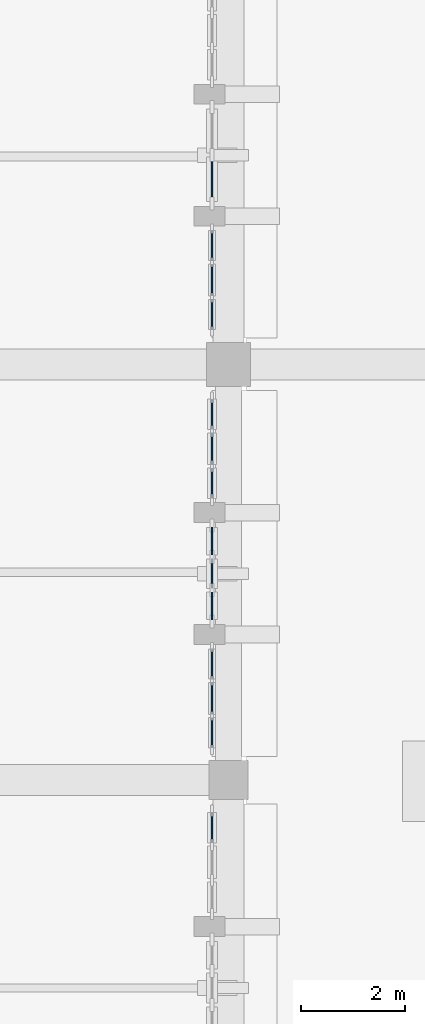
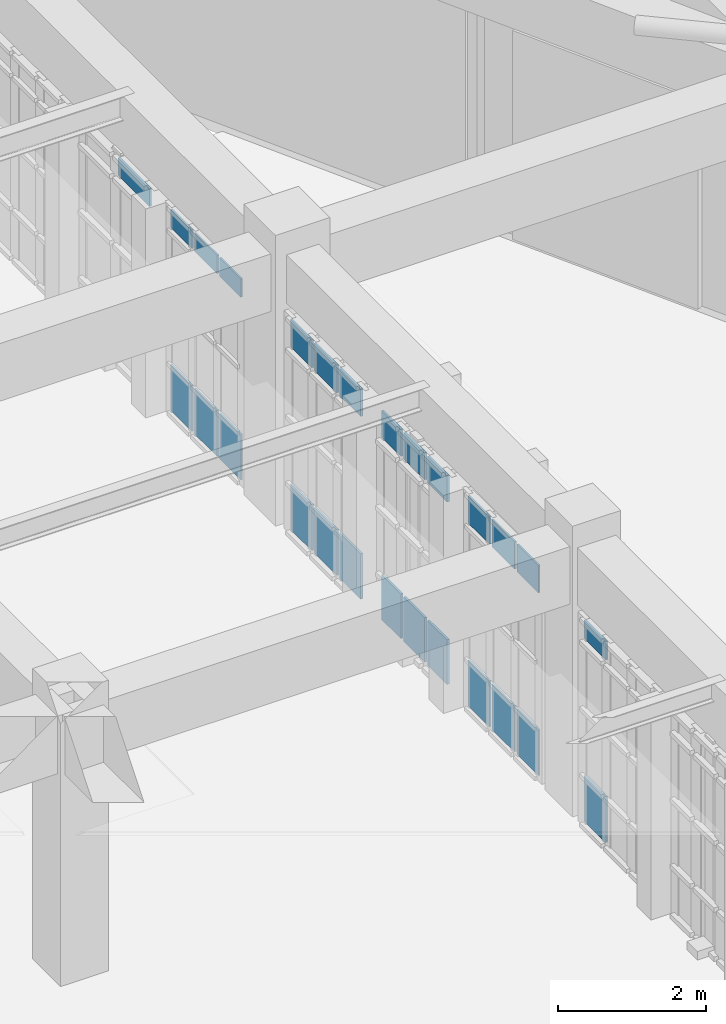
# One storey, part 120 of 155: 27 plates, 6 elements without a shape of their own.
"""IFC4 building model written with IfcOpenShell, lengths in metres."""

from ifc_helpers import new_model, si_unit, direction, frame, origin, origin_2d, place, context, subcontext, project, spatial, rectangle, extrude, material, layer, layer_set, type_object, element, aggregate, save


model = new_model("IFC4")

# Units and contexts
model_context = context("Model", 3, precision=1e-05, world=origin(), true_north=direction((0.0, 1.0)))
body_context = subcontext(model_context, "Body", "Model", "MODEL_VIEW")
ifc_project = project(units=[si_unit("LENGTHUNIT", "METRE"), si_unit("AREAUNIT", "SQUARE_METRE"), si_unit("VOLUMEUNIT", "CUBIC_METRE"), si_unit("PLANEANGLEUNIT", "RADIAN"), si_unit("MASSUNIT", "GRAM", prefix="KILO")], contexts=[model_context])

# Site, building, storey
site_placement = place(None, origin())
site = spatial("IfcSite", under=ifc_project, at=site_placement, CompositionType="ELEMENT")
building_placement = place(site_placement, origin())
building = spatial("IfcBuilding", under=site, at=building_placement, Name="Tazarka Park Arena", CompositionType="ELEMENT")
storey_placement = place(building_placement, frame((0.0, 0.0, 5.39990234375)))
storey = spatial("IfcBuildingStorey", under=building, at=storey_placement, Name="L01", CompositionType="ELEMENT", Elevation=5.39990234375)

# Curtain wall, plates
ifc_material_1 = material(Name="Aluminium and low-e glass", Category="aluminium")
ifc_layer_1 = layer(ifc_material_1, 0.179931640625, Name="Aluminium and low-e glass")
ifc_layer_set_1 = layer_set([ifc_layer_1], Name="Aluminium and low-e glass")
curtain_wall_type_1 = type_object("IfcCurtainWallType", Name="CW-06", PredefinedType="NOTDEFINED", material=ifc_layer_set_1)
curtain_wall_1_placement = place(storey_placement, origin())
curtain_wall_1 = element("IfcCurtainWall", 1, at=curtain_wall_1_placement, inside=storey, type_object=curtain_wall_type_1, Name="Curtain Wall CWA-L01-096", PredefinedType="NOTDEFINED")
ifc_material_2 = material(Name="Double low-e insulated glazing", Category="glass")
ifc_layer_2 = layer(ifc_material_2, 0.028076171875, Name="Double low-e insulated glazing")
ifc_layer_set_2 = layer_set([ifc_layer_2], Name="Double low-e insulated glazing")
plate_type_1 = type_object("IfcPlateType", Name="CWP-01", PredefinedType="CURTAIN_PANEL", material=ifc_layer_set_2)
plate_1_placement = place(storey_placement, frame((47.679931640625, 26.236083984375, 0.065185546875), z_axis=(0.0, 0.0, 1.0), x_axis=(0.0, -1.0, 0.0)))
plate_1 = element("IfcPlate", 2, at=plate_1_placement, type_object=plate_type_1, Name="CW-06 panel 1.1", PredefinedType="CURTAIN_PANEL", context=body_context, shape_type="SweptSolid", body=[
    extrude(rectangle(XDim=0.581298828125, YDim=0.028076171875, at=origin_2d()), origin(), (0.0, 0.0, 1.0), 0.75244140625),
])
plate_2_placement = place(storey_placement, frame((47.679931640625, 26.236083984375, 3.08251953125), z_axis=(0.0, 0.0, 1.0), x_axis=(0.0, -1.0, 0.0)))
plate_2 = element("IfcPlate", 3, at=plate_2_placement, type_object=plate_type_1, Name="CW-06 panel 1.4", PredefinedType="CURTAIN_PANEL", context=body_context, shape_type="SweptSolid", body=[
    extrude(rectangle(XDim=0.581298828125, YDim=0.028076171875, at=origin_2d()), origin(), (0.0, 0.0, 1.0), 0.452392578125),
])
plate_3_placement = place(storey_placement, frame((47.679931640625, 25.5732421875, 0.065185546875), z_axis=(0.0, 0.0, 1.0), x_axis=(0.0, -1.0, 0.0)))
plate_3 = element("IfcPlate", 4, at=plate_3_placement, type_object=plate_type_1, Name="CW-06 panel 2.1", PredefinedType="CURTAIN_PANEL", context=body_context, shape_type="SweptSolid", body=[
    extrude(rectangle(XDim=0.614013671875, YDim=0.028076171875, at=origin_2d()), origin(), (0.0, 0.0, 1.0), 0.75244140625),
])
plate_4_placement = place(storey_placement, frame((47.679931640625, 25.5732421875, 3.08251953125), z_axis=(0.0, 0.0, 1.0), x_axis=(0.0, -1.0, 0.0)))
plate_4 = element("IfcPlate", 5, at=plate_4_placement, type_object=plate_type_1, Name="CW-06 panel 2.4", PredefinedType="CURTAIN_PANEL", context=body_context, shape_type="SweptSolid", body=[
    extrude(rectangle(XDim=0.614013671875, YDim=0.028076171875, at=origin_2d()), origin(), (0.0, 0.0, 1.0), 0.452392578125),
])
plate_5_placement = place(storey_placement, frame((47.679931640625, 24.91064453125, 0.065185546875), z_axis=(0.0, 0.0, 1.0), x_axis=(0.0, -1.0, 0.0)))
plate_5 = element("IfcPlate", 6, at=plate_5_placement, type_object=plate_type_1, Name="CW-06 panel 3.1", PredefinedType="CURTAIN_PANEL", context=body_context, shape_type="SweptSolid", body=[
    extrude(rectangle(XDim=0.581298828125, YDim=0.028076171875, at=origin_2d()), origin(), (0.0, 0.0, 1.0), 0.75244140625),
])
plate_6_placement = place(storey_placement, frame((47.679931640625, 24.91064453125, 3.08251953125), z_axis=(0.0, 0.0, 1.0), x_axis=(0.0, -1.0, 0.0)))
plate_6 = element("IfcPlate", 7, at=plate_6_placement, type_object=plate_type_1, Name="CW-06 panel 3.4", PredefinedType="CURTAIN_PANEL", context=body_context, shape_type="SweptSolid", body=[
    extrude(rectangle(XDim=0.581298828125, YDim=0.028076171875, at=origin_2d()), origin(), (0.0, 0.0, 1.0), 0.452392578125),
])
aggregate(curtain_wall_1, [plate_1, plate_2, plate_3, plate_4, plate_5, plate_6])

ifc_material_3 = material(Name="Aluminium and low-e glass", Category="aluminium")
ifc_layer_3 = layer(ifc_material_3, 0.179931640625, Name="Aluminium and low-e glass")
ifc_layer_set_3 = layer_set([ifc_layer_3], Name="Aluminium and low-e glass")
curtain_wall_type_2 = type_object("IfcCurtainWallType", Name="CW-09", PredefinedType="NOTDEFINED", material=ifc_layer_set_3)
curtain_wall_2_placement = place(storey_placement, origin())
curtain_wall_2 = element("IfcCurtainWall", 8, at=curtain_wall_2_placement, inside=storey, type_object=curtain_wall_type_2, Name="Curtain Wall CWA-L01-099", PredefinedType="NOTDEFINED")
plate_7_placement = place(storey_placement, frame((47.679931640625, 34.285888671875, 0.065185546875), z_axis=(0.0, 0.0, 1.0), x_axis=(0.0, -1.0, 0.0)))
plate_7 = element("IfcPlate", 9, at=plate_7_placement, type_object=plate_type_1, Name="CW-09 panel 1.1", PredefinedType="CURTAIN_PANEL", context=body_context, shape_type="SweptSolid", body=[
    extrude(rectangle(XDim=0.581298828125, YDim=0.028076171875, at=origin_2d()), origin(), (0.0, 0.0, 1.0), 0.75244140625),
])
plate_8_placement = place(storey_placement, frame((47.679931640625, 34.285888671875, 3.08251953125), z_axis=(0.0, 0.0, 1.0), x_axis=(0.0, -1.0, 0.0)))
plate_8 = element("IfcPlate", 10, at=plate_8_placement, type_object=plate_type_1, Name="CW-09 panel 1.4", PredefinedType="CURTAIN_PANEL", context=body_context, shape_type="SweptSolid", body=[
    extrude(rectangle(XDim=0.581298828125, YDim=0.028076171875, at=origin_2d()), origin(), (0.0, 0.0, 1.0), 0.302490234375),
])
plate_9_placement = place(storey_placement, frame((47.679931640625, 33.623291015625, 0.065185546875), z_axis=(0.0, 0.0, 1.0), x_axis=(0.0, -1.0, 0.0)))
plate_9 = element("IfcPlate", 11, at=plate_9_placement, type_object=plate_type_1, Name="CW-09 panel 2.1", PredefinedType="CURTAIN_PANEL", context=body_context, shape_type="SweptSolid", body=[
    extrude(rectangle(XDim=0.614013671875, YDim=0.028076171875, at=origin_2d()), origin(), (0.0, 0.0, 1.0), 0.75244140625),
])
plate_10_placement = place(storey_placement, frame((47.679931640625, 33.623291015625, 3.08251953125), z_axis=(0.0, 0.0, 1.0), x_axis=(0.0, -1.0, 0.0)))
plate_10 = element("IfcPlate", 12, at=plate_10_placement, type_object=plate_type_1, Name="CW-09 panel 2.4", PredefinedType="CURTAIN_PANEL", context=body_context, shape_type="SweptSolid", body=[
    extrude(rectangle(XDim=0.614013671875, YDim=0.028076171875, at=origin_2d()), origin(), (0.0, 0.0, 1.0), 0.302490234375),
])
plate_11_placement = place(storey_placement, frame((47.679931640625, 32.960693359375, 0.065185546875), z_axis=(0.0, 0.0, 1.0), x_axis=(0.0, -1.0, 0.0)))
plate_11 = element("IfcPlate", 13, at=plate_11_placement, type_object=plate_type_1, Name="CW-09 panel 3.1", PredefinedType="CURTAIN_PANEL", context=body_context, shape_type="SweptSolid", body=[
    extrude(rectangle(XDim=0.581298828125, YDim=0.028076171875, at=origin_2d()), origin(), (0.0, 0.0, 1.0), 0.75244140625),
])
plate_12_placement = place(storey_placement, frame((47.679931640625, 32.960693359375, 3.08251953125), z_axis=(0.0, 0.0, 1.0), x_axis=(0.0, -1.0, 0.0)))
plate_12 = element("IfcPlate", 14, at=plate_12_placement, type_object=plate_type_1, Name="CW-09 panel 3.4", PredefinedType="CURTAIN_PANEL", context=body_context, shape_type="SweptSolid", body=[
    extrude(rectangle(XDim=0.581298828125, YDim=0.028076171875, at=origin_2d()), origin(), (0.0, 0.0, 1.0), 0.302490234375),
])
aggregate(curtain_wall_2, [plate_7, plate_8, plate_9, plate_10, plate_11, plate_12])

ifc_material_4 = material(Name="Aluminium and low-e glass", Category="aluminium")
ifc_layer_4 = layer(ifc_material_4, 0.179931640625, Name="Aluminium and low-e glass")
ifc_layer_set_4 = layer_set([ifc_layer_4], Name="Aluminium and low-e glass")
curtain_wall_type_3 = type_object("IfcCurtainWallType", Name="CW-01", PredefinedType="NOTDEFINED", material=ifc_layer_set_4)
curtain_wall_3_placement = place(storey_placement, origin())
curtain_wall_3 = element("IfcCurtainWall", 15, at=curtain_wall_3_placement, inside=storey, type_object=curtain_wall_type_3, Name="Curtain Wall CWA-L01-091", PredefinedType="NOTDEFINED")
ifc_material_5 = material(Name="Triple acoustic solar glazing", Category="glass")
ifc_layer_5 = layer(ifc_material_5, 0.031982421875, Name="Triple acoustic solar glazing")
ifc_layer_set_5 = layer_set([ifc_layer_5], Name="Triple acoustic solar glazing")
plate_type_2 = type_object("IfcPlateType", Name="CWP-02", PredefinedType="CURTAIN_PANEL", material=ifc_layer_set_5)
plate_13_placement = place(storey_placement, frame((47.679931640625, 23.08642578125, 0.065185546875), z_axis=(0.0, 0.0, 1.0), x_axis=(0.0, -1.0, 0.0)))
plate_13 = element("IfcPlate", 16, at=plate_13_placement, type_object=plate_type_2, Name="CW-01 panel 1.1", PredefinedType="CURTAIN_PANEL", context=body_context, shape_type="SweptSolid", body=[
    extrude(rectangle(XDim=0.5869140625, YDim=0.031982421875, at=origin_2d()), origin(), (0.0, 0.0, 1.0), 0.75244140625),
])
plate_14_placement = place(storey_placement, frame((47.679931640625, 23.08642578125, 3.08251953125), z_axis=(0.0, 0.0, 1.0), x_axis=(0.0, -1.0, 0.0)))
plate_14 = element("IfcPlate", 17, at=plate_14_placement, type_object=plate_type_2, Name="CW-01 panel 1.4", PredefinedType="CURTAIN_PANEL", context=body_context, shape_type="SweptSolid", body=[
    extrude(rectangle(XDim=0.5869140625, YDim=0.031982421875, at=origin_2d()), origin(), (0.0, 0.0, 1.0), 0.302490234375),
])
aggregate(curtain_wall_3, [plate_13, plate_14])

ifc_material_6 = material(Name="Aluminium and low-e glass", Category="aluminium")
ifc_layer_6 = layer(ifc_material_6, 0.179931640625, Name="Aluminium and low-e glass")
ifc_layer_set_6 = layer_set([ifc_layer_6], Name="Aluminium and low-e glass")
curtain_wall_type_4 = type_object("IfcCurtainWallType", Name="CW-04", PredefinedType="NOTDEFINED", material=ifc_layer_set_6)
curtain_wall_4_placement = place(storey_placement, origin())
curtain_wall_4 = element("IfcCurtainWall", 18, at=curtain_wall_4_placement, inside=storey, type_object=curtain_wall_type_4, Name="Curtain Wall CWA-L01-094", PredefinedType="NOTDEFINED")
plate_15_placement = place(storey_placement, frame((47.679931640625, 31.039306640625, 0.065185546875), z_axis=(0.0, 0.0, 1.0), x_axis=(0.0, -1.0, 0.0)))
plate_15 = element("IfcPlate", 19, at=plate_15_placement, type_object=plate_type_2, Name="CW-04 panel 1.1", PredefinedType="CURTAIN_PANEL", context=body_context, shape_type="SweptSolid", body=[
    extrude(rectangle(XDim=0.581298828125, YDim=0.031982421875, at=origin_2d()), origin(), (0.0, 0.0, 1.0), 0.75244140625),
])
plate_16_placement = place(storey_placement, frame((47.679931640625, 31.039306640625, 3.08251953125), z_axis=(0.0, 0.0, 1.0), x_axis=(0.0, -1.0, 0.0)))
plate_16 = element("IfcPlate", 20, at=plate_16_placement, type_object=plate_type_2, Name="CW-04 panel 1.4", PredefinedType="CURTAIN_PANEL", context=body_context, shape_type="SweptSolid", body=[
    extrude(rectangle(XDim=0.581298828125, YDim=0.031982421875, at=origin_2d()), origin(), (0.0, 0.0, 1.0), 0.452392578125),
])
plate_17_placement = place(storey_placement, frame((47.679931640625, 30.376708984375, 0.065185546875), z_axis=(0.0, 0.0, 1.0), x_axis=(0.0, -1.0, 0.0)))
plate_17 = element("IfcPlate", 21, at=plate_17_placement, type_object=plate_type_2, Name="CW-04 panel 2.1", PredefinedType="CURTAIN_PANEL", context=body_context, shape_type="SweptSolid", body=[
    extrude(rectangle(XDim=0.614013671875, YDim=0.031982421875, at=origin_2d()), origin(), (0.0, 0.0, 1.0), 0.75244140625),
])
plate_18_placement = place(storey_placement, frame((47.679931640625, 30.376708984375, 3.08251953125), z_axis=(0.0, 0.0, 1.0), x_axis=(0.0, -1.0, 0.0)))
plate_18 = element("IfcPlate", 22, at=plate_18_placement, type_object=plate_type_2, Name="CW-04 panel 2.4", PredefinedType="CURTAIN_PANEL", context=body_context, shape_type="SweptSolid", body=[
    extrude(rectangle(XDim=0.614013671875, YDim=0.031982421875, at=origin_2d()), origin(), (0.0, 0.0, 1.0), 0.452392578125),
])
plate_19_placement = place(storey_placement, frame((47.679931640625, 29.714111328125, 0.065185546875), z_axis=(0.0, 0.0, 1.0), x_axis=(0.0, -1.0, 0.0)))
plate_19 = element("IfcPlate", 23, at=plate_19_placement, type_object=plate_type_2, Name="CW-04 panel 3.1", PredefinedType="CURTAIN_PANEL", context=body_context, shape_type="SweptSolid", body=[
    extrude(rectangle(XDim=0.581298828125, YDim=0.031982421875, at=origin_2d()), origin(), (0.0, 0.0, 1.0), 0.75244140625),
])
plate_20_placement = place(storey_placement, frame((47.679931640625, 29.714111328125, 3.08251953125), z_axis=(0.0, 0.0, 1.0), x_axis=(0.0, -1.0, 0.0)))
plate_20 = element("IfcPlate", 24, at=plate_20_placement, type_object=plate_type_2, Name="CW-04 panel 3.4", PredefinedType="CURTAIN_PANEL", context=body_context, shape_type="SweptSolid", body=[
    extrude(rectangle(XDim=0.581298828125, YDim=0.031982421875, at=origin_2d()), origin(), (0.0, 0.0, 1.0), 0.452392578125),
])
aggregate(curtain_wall_4, [plate_15, plate_16, plate_17, plate_18, plate_19, plate_20])

ifc_material_7 = material(Name="Aluminium and low-e glass", Category="aluminium")
ifc_layer_7 = layer(ifc_material_7, 0.179931640625, Name="Aluminium and low-e glass")
ifc_layer_set_7 = layer_set([ifc_layer_7], Name="Aluminium and low-e glass")
curtain_wall_type_5 = type_object("IfcCurtainWallType", Name="CW-05", PredefinedType="NOTDEFINED", material=ifc_layer_set_7)
curtain_wall_5_placement = place(storey_placement, origin())
curtain_wall_5 = element("IfcCurtainWall", 25, at=curtain_wall_5_placement, inside=storey, type_object=curtain_wall_type_5, Name="Curtain Wall CWA-L01-095", PredefinedType="NOTDEFINED")
ifc_material_8 = material(Name="Insulated aluminium spandrel panel", Category="aluminium")
ifc_layer_8 = layer(ifc_material_8, 0.035888671875, Name="Insulated aluminium spandrel panel")
ifc_layer_set_8 = layer_set([ifc_layer_8], Name="Insulated aluminium spandrel panel")
plate_type_3 = type_object("IfcPlateType", Name="CWP-03", PredefinedType="CURTAIN_PANEL", material=ifc_layer_set_8)
plate_21_placement = place(storey_placement, frame((47.679931640625, 28.598388671875, 0.0751953125), z_axis=(0.0, 0.0, 1.0), x_axis=(0.0, -1.0, 0.0)))
plate_21 = element("IfcPlate", 26, at=plate_21_placement, type_object=plate_type_3, Name="CW-05 panel 1.1", PredefinedType="CURTAIN_PANEL", context=body_context, shape_type="SweptSolid", body=[
    extrude(rectangle(XDim=0.52978515625, YDim=0.035888671875, at=origin_2d()), origin(), (0.0, 0.0, 1.0), 0.737548828125),
])
plate_22_placement = place(storey_placement, frame((47.679931640625, 28.598388671875, 3.087646484375), z_axis=(0.0, 0.0, 1.0), x_axis=(0.0, -1.0, 0.0)))
plate_22 = element("IfcPlate", 27, at=plate_22_placement, type_object=plate_type_3, Name="CW-05 panel 1.4", PredefinedType="CURTAIN_PANEL", context=body_context, shape_type="SweptSolid", body=[
    extrude(rectangle(XDim=0.52978515625, YDim=0.035888671875, at=origin_2d()), origin(), (0.0, 0.0, 1.0), 0.4375),
])
plate_23_placement = place(storey_placement, frame((47.679931640625, 27.97509765625, 0.0751953125), z_axis=(0.0, 0.0, 1.0), x_axis=(0.0, -1.0, 0.0)))
plate_23 = element("IfcPlate", 28, at=plate_23_placement, type_object=plate_type_3, Name="CW-05 panel 2.1", PredefinedType="CURTAIN_PANEL", context=body_context, shape_type="SweptSolid", body=[
    extrude(rectangle(XDim=0.567138671875, YDim=0.035888671875, at=origin_2d()), origin(), (0.0, 0.0, 1.0), 0.737548828125),
])
plate_24_placement = place(storey_placement, frame((47.679931640625, 27.97509765625, 3.087646484375), z_axis=(0.0, 0.0, 1.0), x_axis=(0.0, -1.0, 0.0)))
plate_24 = element("IfcPlate", 29, at=plate_24_placement, type_object=plate_type_3, Name="CW-05 panel 2.4", PredefinedType="CURTAIN_PANEL", context=body_context, shape_type="SweptSolid", body=[
    extrude(rectangle(XDim=0.567138671875, YDim=0.035888671875, at=origin_2d()), origin(), (0.0, 0.0, 1.0), 0.4375),
])
plate_25_placement = place(storey_placement, frame((47.679931640625, 27.3515625, 0.0751953125), z_axis=(0.0, 0.0, 1.0), x_axis=(0.0, -1.0, 0.0)))
plate_25 = element("IfcPlate", 30, at=plate_25_placement, type_object=plate_type_3, Name="CW-05 panel 3.1", PredefinedType="CURTAIN_PANEL", context=body_context, shape_type="SweptSolid", body=[
    extrude(rectangle(XDim=0.52978515625, YDim=0.035888671875, at=origin_2d()), origin(), (0.0, 0.0, 1.0), 0.737548828125),
])
plate_26_placement = place(storey_placement, frame((47.679931640625, 27.3515625, 3.087646484375), z_axis=(0.0, 0.0, 1.0), x_axis=(0.0, -1.0, 0.0)))
plate_26 = element("IfcPlate", 31, at=plate_26_placement, type_object=plate_type_3, Name="CW-05 panel 3.4", PredefinedType="CURTAIN_PANEL", context=body_context, shape_type="SweptSolid", body=[
    extrude(rectangle(XDim=0.52978515625, YDim=0.035888671875, at=origin_2d()), origin(), (0.0, 0.0, 1.0), 0.4375),
])
aggregate(curtain_wall_5, [plate_21, plate_22, plate_23, plate_24, plate_25, plate_26])

# Curtain wall, plate
ifc_material_9 = material(Name="Aluminium and low-e glass", Category="aluminium")
ifc_layer_9 = layer(ifc_material_9, 0.179931640625, Name="Aluminium and low-e glass")
ifc_layer_set_9 = layer_set([ifc_layer_9], Name="Aluminium and low-e glass")
curtain_wall_type_6 = type_object("IfcCurtainWallType", Name="CW-08", PredefinedType="NOTDEFINED", material=ifc_layer_set_9)
curtain_wall_6_placement = place(storey_placement, origin())
curtain_wall_6 = element("IfcCurtainWall", 32, at=curtain_wall_6_placement, inside=storey, type_object=curtain_wall_type_6, Name="Curtain Wall CWA-L01-098", PredefinedType="NOTDEFINED")
plate_27_placement = place(storey_placement, frame((47.679931640625, 35.56201171875, 3.087646484375), z_axis=(0.0, 0.0, 1.0), x_axis=(0.0, -1.0, 0.0)))
plate_27 = element("IfcPlate", 33, at=plate_27_placement, type_object=plate_type_3, Name="CW-08 panel 2.4", PredefinedType="CURTAIN_PANEL", context=body_context, shape_type="SweptSolid", body=[
    extrude(rectangle(XDim=0.850830078125, YDim=0.035888671875, at=origin_2d()), origin(), (0.0, 0.0, 1.0), 0.28759765625),
])
aggregate(curtain_wall_6, [plate_27])

save(model, "model.ifc")
